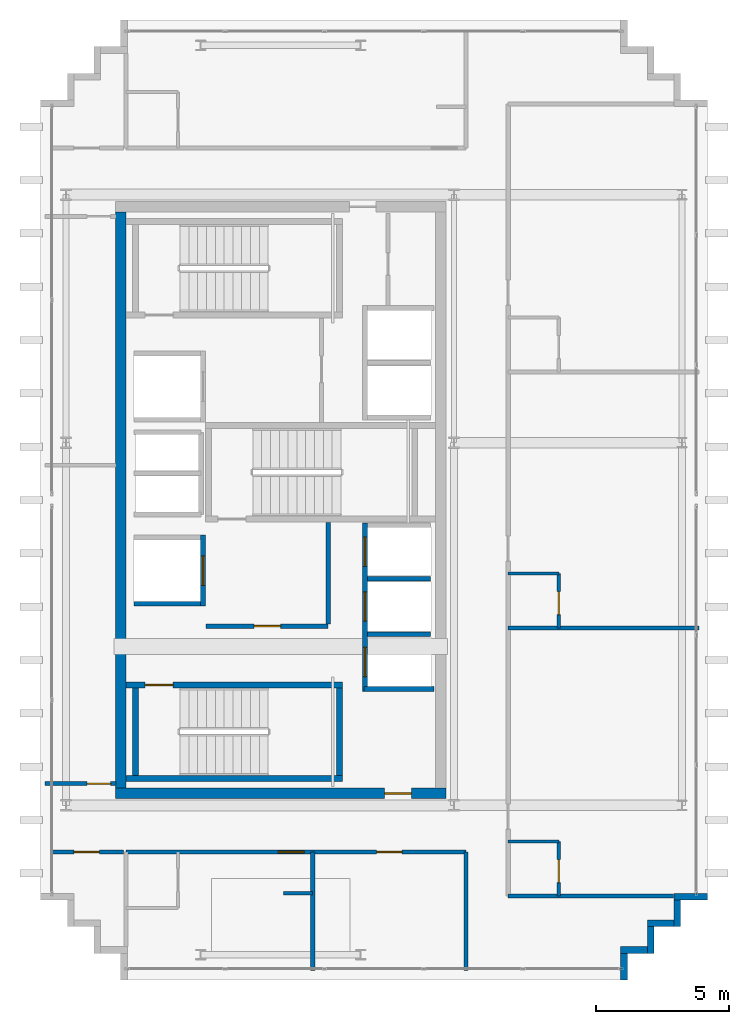
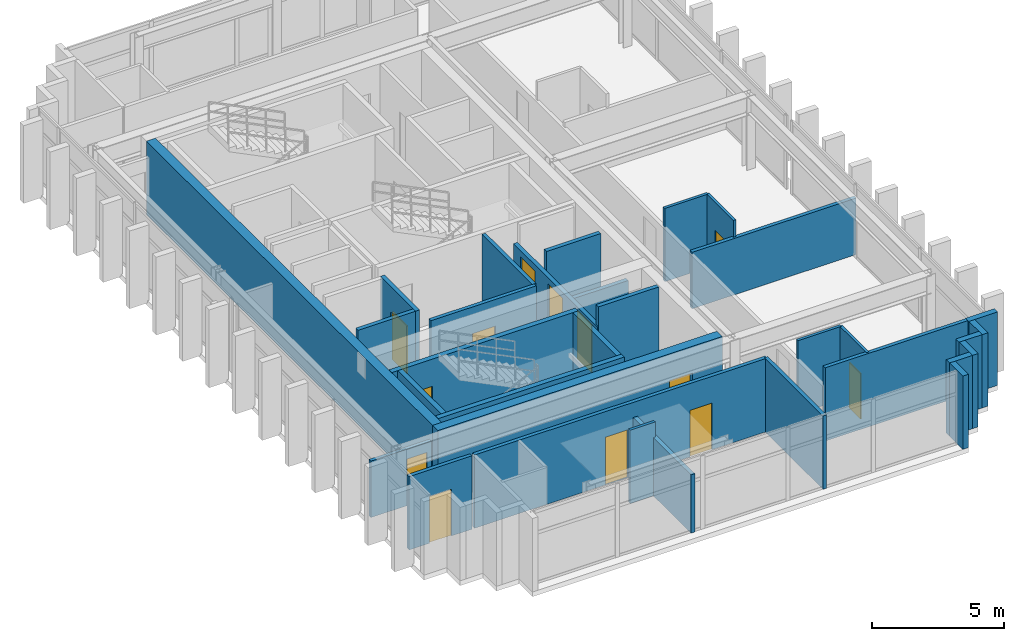
# One storey, part 12 of 15: 32 walls, 13 doors, 13 openings.
"""IFC4 building model written with IfcOpenShell, lengths in metres."""

from ifc_helpers import new_model, si_unit, direction, frame, frame_2d, origin, place, context, subcontext, project, spatial, rectangle, extrude, source, transform, mapped, material, layer, layer_set, type_object, element, fill, save


model = new_model("IFC4")

# Units and contexts
model_context = context("Model", 3, precision=1e-05, world=origin(), true_north=direction((0.0, 1.0)))
body_context = subcontext(model_context, "Body", "Model", "MODEL_VIEW")
ifc_project = project(units=[si_unit("LENGTHUNIT", "METRE"), si_unit("AREAUNIT", "SQUARE_METRE"), si_unit("VOLUMEUNIT", "CUBIC_METRE"), si_unit("PLANEANGLEUNIT", "RADIAN"), si_unit("MASSUNIT", "GRAM", prefix="KILO")], contexts=[model_context])

# Site, building, storey
site_placement = place(None, origin())
site = spatial("IfcSite", under=ifc_project, at=site_placement, CompositionType="ELEMENT")
building_placement = place(site_placement, origin())
building = spatial("IfcBuilding", under=site, at=building_placement, Name="Ocotamira Hotel", CompositionType="ELEMENT")
storey_placement = place(building_placement, frame((0.0, 0.0, 276.0)))
storey = spatial("IfcBuildingStorey", under=building, at=storey_placement, Name="L70", CompositionType="ELEMENT", Elevation=276.0)

# Wall, opening, door
ifc_material_1 = material(Name="Concrete C50/60", Category="concrete")
ifc_layer_1 = layer(ifc_material_1, 0.39990234375)
ifc_layer_set_1 = layer_set([ifc_layer_1], Name="Concrete C50/60")
wall_type_1 = type_object("IfcWallType", Name="WL-CORE-400", PredefinedType="SHEAR", material=ifc_layer_set_1)
wall_1_placement = place(storey_placement, frame((10.800048828125, 15.0, 0.0), z_axis=(0.0, 0.0, 1.0), x_axis=(1.0, 0.0, 0.0)))
wall_1 = element("IfcWall", 1, at=wall_1_placement, inside=storey, type_object=wall_type_1, Name="L70 Shear Core Wall WCORE-S", PredefinedType="SHEAR", context=body_context, shape_type="SweptSolid", body=[
    extrude(rectangle(XDim=12.39990234375, YDim=0.39990234375, at=frame_2d((6.199951171875, 0.0))), origin(), (0.0, 0.0, 1.0), 3.3798828125),
])
opening_1_placement = place(wall_1_placement, frame((10.10009765625, 0.0, 0.0)))
opening_1 = element("IfcOpeningElement", 2, at=opening_1_placement, cuts=wall_1, Name="Opening D-FR2", PredefinedType="OPENING", context=body_context, shape_type="SweptSolid", body=[
    extrude(rectangle(XDim=1.0, YDim=2.14990234375, at=frame_2d((0.5, 1.074951171875))), frame((0.0, 0.2099609375, 0.0), z_axis=(0.0, -1.0, 0.0), x_axis=(1.0, 0.0, 0.0)), (0.0, 0.0, 1.0), 0.419921875),
])
ifc_material_2 = material(Name="Fire-rated acoustic timber-veneer door", Category="wood")
door_type_1 = type_object("IfcDoorType", Name="DR-FIRE-1000", OperationType="NOTDEFINED", PredefinedType="DOOR", material=ifc_material_2)
shared_shape_1 = source(origin(), body_context, "Body", "SweptSolid", [
    extrude(rectangle(XDim=1.0, YDim=2.14990234375, at=frame_2d((0.5, 1.074951171875))), frame((0.0, 0.02490234375, 0.0), z_axis=(0.0, -1.0, 0.0), x_axis=(1.0, 0.0, 0.0)), (0.0, 0.0, 1.0), 0.050048828125),
])
door_1_placement = place(opening_1_placement, origin())
door_1 = element("IfcDoor", 3, at=door_1_placement, inside=storey, type_object=door_type_1, Name="L70 Door ID-L70-WLOB-S-D [ID-L70-WLOB-S-D]", OperationType="SINGLE_SWING_LEFT", OverallHeight=2.14990234375, OverallWidth=1.0, PredefinedType="DOOR", context=body_context, shape_type="MappedRepresentation", body=[
    mapped(shared_shape_1, transform((0.0, 0.0, 0.0), scale=1.0)),
])
fill(opening_1, door_1)

# Walls
wall_2_placement = place(storey_placement, frame((11.0, 15.199951171875, 0.0), z_axis=(0.0, 0.0, 1.0), x_axis=(0.0, 1.0, 0.0)))
element("IfcWall", 4, at=wall_2_placement, inside=storey, type_object=wall_type_1, Name="L70 Shear Core Wall WCORE-W", PredefinedType="SHEAR", context=body_context, shape_type="SweptSolid", body=[
    extrude(rectangle(XDim=21.60009765625, YDim=0.39990234375, at=frame_2d((10.800048828125, 0.0))), origin(), (0.0, 0.0, 1.0), 3.3798828125),
])
ifc_material_3 = material(Name="Precast concrete C45/55", Category="concrete")
ifc_layer_2 = layer(ifc_material_3, 0.25)
ifc_layer_set_2 = layer_set([ifc_layer_2], Name="Precast concrete C45/55")
wall_type_2 = type_object("IfcWallType", Name="WL-EXT-SER-250", PredefinedType="SOLIDWALL", material=ifc_layer_set_2)
for number, where, z_axis, x_axis, name in (
    (5, (29.875, 8.0, 0.0), (0.0, 0.0, 1.0), (0.0, 1.0, 0.0), "L70 Serrated Corner Wall 01"),
    (6, (29.75, 9.125, 0.0), (0.0, 0.0, 1.0), (1.0, 0.0, 0.0), "L70 Serrated Corner Wall 02"),
    (7, (30.875, 9.0, 0.0), (0.0, 0.0, 1.0), (0.0, 1.0, 0.0), "L70 Serrated Corner Wall 03"),
    (8, (30.75, 10.125, 0.0), (0.0, 0.0, 1.0), (1.0, 0.0, 0.0), "L70 Serrated Corner Wall 04"),
    (9, (31.875, 10.0, 0.0), (0.0, 0.0, 1.0), (0.0, 1.0, 0.0), "L70 Serrated Corner Wall 05"),
):
    element("IfcWall", number, at=place(storey_placement, frame(where, z_axis=z_axis, x_axis=x_axis)), inside=storey, type_object=wall_type_2, Name=name, PredefinedType="SOLIDWALL", context=body_context, shape_type="SweptSolid", body=[
        extrude(rectangle(XDim=1.0, YDim=0.25, at=frame_2d((0.5, 0.0))), origin(), (0.0, 0.0, 1.0), 3.3798828125),
    ])
wall_3_placement = place(storey_placement, frame((31.75, 11.125, 0.0), z_axis=(0.0, 0.0, 1.0), x_axis=(1.0, 0.0, 0.0)))
element("IfcWall", 10, at=wall_3_placement, inside=storey, type_object=wall_type_2, Name="L70 Serrated Corner Wall 06", PredefinedType="SOLIDWALL", context=body_context, shape_type="SweptSolid", body=[
    extrude(rectangle(XDim=1.25, YDim=0.25, at=frame_2d((0.625, 0.0))), origin(), (0.0, 0.0, 1.0), 3.3798828125),
])

# Wall, opening, door
ifc_material_4 = material(Name="Acoustic double-layer fire gypsum board partition", Category="gypsum")
ifc_layer_3 = layer(ifc_material_4, 0.159912109375)
ifc_layer_set_3 = layer_set([ifc_layer_3], Name="Acoustic double-layer fire gypsum board partition")
wall_type_3 = type_object("IfcWallType", Name="WL-FIRE-160", PredefinedType="PARTITIONING", material=ifc_layer_set_3)
wall_4_placement = place(storey_placement, frame((14.199951171875, 21.27001953125, 0.0), z_axis=(0.0, 0.0, 1.0), x_axis=(1.0, 0.0, 0.0)))
wall_4 = element("IfcWall", 11, at=wall_4_placement, inside=storey, type_object=wall_type_3, Name="L70 Interior Wall PW-L70-FSAE1-S", PredefinedType="PARTITIONING", context=body_context, shape_type="SweptSolid", body=[
    extrude(rectangle(XDim=4.580078125, YDim=0.159912109375, at=frame_2d((2.2900390625, 0.0))), origin(), (0.0, 0.0, 1.0), 3.3798828125),
])
opening_2_placement = place(wall_4_placement, frame((1.800048828125, 0.0, 0.0)))
opening_2 = element("IfcOpeningElement", 12, at=opening_2_placement, cuts=wall_4, Name="Opening D-FR2", PredefinedType="OPENING", context=body_context, shape_type="SweptSolid", body=[
    extrude(rectangle(XDim=1.0, YDim=2.14990234375, at=frame_2d((0.5, 1.074951171875))), frame((0.0, 0.08984375, 0.0), z_axis=(0.0, -1.0, 0.0), x_axis=(1.0, 0.0, 0.0)), (0.0, 0.0, 1.0), 0.179931640625),
])
door_2_placement = place(opening_2_placement, origin())
door_2 = element("IfcDoor", 13, at=door_2_placement, inside=storey, type_object=door_type_1, Name="L70 Door ID-L70-FSAE1-D [ID-L70-FSAE1-D]", OperationType="SINGLE_SWING_LEFT", OverallHeight=2.14990234375, OverallWidth=1.0, PredefinedType="DOOR", context=body_context, shape_type="MappedRepresentation", body=[
    mapped(shared_shape_1, transform((0.0, 0.0, 0.0), scale=1.0)),
])
fill(opening_2, door_2)

# Wall
wall_5_placement = place(storey_placement, frame((18.780029296875, 21.35009765625, 0.0), z_axis=(0.0, 0.0, 1.0), x_axis=(0.0, 1.0, 0.0)))
element("IfcWall", 14, at=wall_5_placement, inside=storey, type_object=wall_type_3, Name="L70 Interior Wall PW-L70-FSAE1-E", PredefinedType="PARTITIONING", context=body_context, shape_type="SweptSolid", body=[
    extrude(rectangle(XDim=3.809814453125, YDim=0.159912109375, at=frame_2d((1.90478515625, 0.0))), origin(), (0.0, 0.0, 1.0), 3.3798828125),
])

# Wall, openings, doors
wall_6_placement = place(storey_placement, frame((11.199951171875, 12.800048828125, 0.0), z_axis=(0.0, 0.0, 1.0), x_axis=(1.0, 0.0, 0.0)))
wall_6 = element("IfcWall", 15, at=wall_6_placement, inside=storey, type_object=wall_type_3, Name="L70 Interior Wall PW-L70-WP0S-CORRW", PredefinedType="PARTITIONING", context=body_context, shape_type="SweptSolid", body=[
    extrude(rectangle(XDim=12.75, YDim=0.159912109375, at=frame_2d((6.375, 0.0))), origin(), (0.0, 0.0, 1.0), 3.3798828125),
])
opening_3_placement = place(wall_6_placement, frame((5.699951171875, 0.0, 0.0)))
opening_3 = element("IfcOpeningElement", 16, at=opening_3_placement, cuts=wall_6, Name="Opening D-GR2", PredefinedType="OPENING", context=body_context, shape_type="SweptSolid", body=[
    extrude(rectangle(XDim=0.97998046875, YDim=2.199951171875, at=frame_2d((0.489990234375, 1.10009765625))), frame((0.0, 0.08984375, 0.0), z_axis=(0.0, -1.0, 0.0), x_axis=(1.0, 0.0, 0.0)), (0.0, 0.0, 1.0), 0.179931640625),
])
opening_4_placement = place(wall_6_placement, frame((9.39501953125, 0.0, 0.0)))
opening_4 = element("IfcOpeningElement", 17, at=opening_4_placement, cuts=wall_6, Name="Opening D-SV4", PredefinedType="OPENING", context=body_context, shape_type="SweptSolid", body=[
    extrude(rectangle(XDim=0.9599609375, YDim=2.14990234375, at=frame_2d((0.47998046875, 1.074951171875))), frame((0.0, 0.08984375, 0.0), z_axis=(0.0, -1.0, 0.0), x_axis=(1.0, 0.0, 0.0)), (0.0, 0.0, 1.0), 0.179931640625),
])
ifc_material_5 = material(Name="Fire-rated accessible walnut salon door", Category="wood")
door_type_2 = type_object("IfcDoorType", Name="DR-SERV-960", OperationType="NOTDEFINED", PredefinedType="DOOR", material=ifc_material_5)
shared_shape_2 = source(origin(), body_context, "Body", "SweptSolid", [
    extrude(rectangle(XDim=0.9599609375, YDim=2.14990234375, at=frame_2d((0.47998046875, 1.074951171875))), frame((0.0, 0.02490234375, 0.0), z_axis=(0.0, -1.0, 0.0), x_axis=(1.0, 0.0, 0.0)), (0.0, 0.0, 1.0), 0.050048828125),
])
door_3_placement = place(opening_4_placement, origin())
door_3 = element("IfcDoor", 18, at=door_3_placement, inside=storey, type_object=door_type_2, Name="L70 Door ID-L70-WP0S-AMD2 [ID-L70-WP0S-AMD2]", OperationType="SINGLE_SWING_RIGHT", OverallHeight=2.14990234375, OverallWidth=0.9599609375, PredefinedType="DOOR", context=body_context, shape_type="MappedRepresentation", body=[
    mapped(shared_shape_2, transform((0.0, 0.0, 0.0), scale=1.0)),
])
fill(opening_4, door_3)
ifc_material_6 = material(Name="Solid-core walnut grand-suite entrance fire door", Category="wood")
door_type_3 = type_object("IfcDoorType", Name="DR-GUEST-980", OperationType="NOTDEFINED", PredefinedType="DOOR", material=ifc_material_6)
shared_shape_3 = source(origin(), body_context, "Body", "SweptSolid", [
    extrude(rectangle(XDim=0.97998046875, YDim=2.199951171875, at=frame_2d((0.489990234375, 1.10009765625))), frame((0.0, 0.02490234375, 0.0), z_axis=(0.0, -1.0, 0.0), x_axis=(1.0, 0.0, 0.0)), (0.0, 0.0, 1.0), 0.050048828125),
])
door_4_placement = place(opening_3_placement, origin())
door_4 = element("IfcDoor", 19, at=door_4_placement, inside=storey, type_object=door_type_3, Name="L70 Door ID-L70-WP0S-RMD1 [ID-L70-WP0S-RMD1]", OperationType="SINGLE_SWING_LEFT", OverallHeight=2.199951171875, OverallWidth=0.97998046875, PredefinedType="DOOR", context=body_context, shape_type="MappedRepresentation", body=[
    mapped(shared_shape_3, transform((0.0, 0.0, 0.0), scale=1.0)),
])
fill(opening_3, door_4)

# Wall, opening, door
wall_7_placement = place(storey_placement, frame((8.35009765625, 12.800048828125, 0.0), z_axis=(0.0, 0.0, 1.0), x_axis=(1.0, 0.0, 0.0)))
wall_7 = element("IfcWall", 20, at=wall_7_placement, inside=storey, type_object=wall_type_3, Name="L70 Interior Wall PW-L70-WPCSW0-CW", PredefinedType="PARTITIONING", context=body_context, shape_type="SweptSolid", body=[
    extrude(rectangle(XDim=2.75, YDim=0.159912109375, at=frame_2d((1.375, 0.0))), origin(), (0.0, 0.0, 1.0), 3.3798828125),
])
opening_5_placement = place(wall_7_placement, frame((0.89501953125, 0.0, 0.0)))
opening_5 = element("IfcOpeningElement", 21, at=opening_5_placement, cuts=wall_7, Name="Opening D-SV4", PredefinedType="OPENING", context=body_context, shape_type="SweptSolid", body=[
    extrude(rectangle(XDim=0.9599609375, YDim=2.14990234375, at=frame_2d((0.47998046875, 1.074951171875))), frame((0.0, 0.08984375, 0.0), z_axis=(0.0, -1.0, 0.0), x_axis=(1.0, 0.0, 0.0)), (0.0, 0.0, 1.0), 0.179931640625),
])
door_5_placement = place(opening_5_placement, origin())
door_5 = element("IfcDoor", 22, at=door_5_placement, inside=storey, type_object=door_type_2, Name="L70 Door ID-L70-WPCSW0-CD [ID-L70-WPCSW0-CD]", OperationType="SINGLE_SWING_LEFT", OverallHeight=2.14990234375, OverallWidth=0.9599609375, PredefinedType="DOOR", context=body_context, shape_type="MappedRepresentation", body=[
    mapped(shared_shape_2, transform((0.0, 0.0, 0.0), scale=1.0)),
])
fill(opening_5, door_5)

# Wall
ifc_material_7 = material(Name="Moisture-resistant en-suite tile and gypsum partition", Category="gypsum")
ifc_layer_4 = layer(ifc_material_7, 0.1201171875)
ifc_layer_set_4 = layer_set([ifc_layer_4], Name="Moisture-resistant en-suite tile and gypsum partition")
wall_type_4 = type_object("IfcWallType", Name="WL-PART-120", PredefinedType="PARTITIONING", material=ifc_layer_set_4)
wall_8_placement = place(storey_placement, frame((17.10009765625, 11.25, 0.0), z_axis=(0.0, 0.0, 1.0), x_axis=(1.0, 0.0, 0.0)))
element("IfcWall", 23, at=wall_8_placement, inside=storey, type_object=wall_type_4, Name="L70 Interior Wall PW-L70-WP0S-DRN1", PredefinedType="PARTITIONING", context=body_context, shape_type="SweptSolid", body=[
    extrude(rectangle(XDim=1.099853515625, YDim=0.1201171875, at=frame_2d((0.5498046875, 0.0))), origin(), (0.0, 0.0, 1.0), 3.3798828125),
])

# Wall, opening, door
wall_9_placement = place(storey_placement, frame((27.429931640625, 11.14990234375, 0.0), z_axis=(0.0, 0.0, 1.0), x_axis=(0.0, 1.0, 0.0)))
wall_9 = element("IfcWall", 24, at=wall_9_placement, inside=storey, type_object=wall_type_4, Name="L70 Interior Wall PW-L70-WP-EBE1", PredefinedType="PARTITIONING", context=body_context, shape_type="SweptSolid", body=[
    extrude(rectangle(XDim=2.0400390625, YDim=0.1201171875, at=frame_2d((1.02001953125, 0.0))), origin(), (0.0, 0.0, 1.0), 3.3798828125),
])
opening_6_placement = place(wall_9_placement, frame((0.5, 0.0, 0.0)))
opening_6 = element("IfcOpeningElement", 25, at=opening_6_placement, cuts=wall_9, Name="Opening D-BA1", PredefinedType="OPENING", context=body_context, shape_type="SweptSolid", body=[
    extrude(rectangle(XDim=0.860107421875, YDim=2.10009765625, at=frame_2d((0.43017578125, 1.050048828125))), frame((0.0, 0.070068359375, 0.0), z_axis=(0.0, -1.0, 0.0), x_axis=(1.0, 0.0, 0.0)), (0.0, 0.0, 1.0), 0.14013671875),
])
ifc_material_8 = material(Name="Moisture-sealed en-suite timber door", Category="wood")
door_type_4 = type_object("IfcDoorType", Name="DR-BATH-860", OperationType="NOTDEFINED", PredefinedType="DOOR", material=ifc_material_8)
shared_shape_4 = source(origin(), body_context, "Body", "SweptSolid", [
    extrude(rectangle(XDim=0.860107421875, YDim=2.10009765625, at=frame_2d((0.43017578125, 1.050048828125))), frame((0.0, 0.02490234375, 0.0), z_axis=(0.0, -1.0, 0.0), x_axis=(1.0, 0.0, 0.0)), (0.0, 0.0, 1.0), 0.050048828125),
])
door_6_placement = place(opening_6_placement, origin())
door_6 = element("IfcDoor", 26, at=door_6_placement, inside=storey, type_object=door_type_4, Name="L70 Door ID-L70-WP-EBD1 [ID-L70-WP-EBD1]", OperationType="SINGLE_SWING_LEFT", OverallHeight=2.10009765625, OverallWidth=0.860107421875, PredefinedType="DOOR", context=body_context, shape_type="MappedRepresentation", body=[
    mapped(shared_shape_4, transform((0.0, 0.0, 0.0), scale=1.0)),
])
fill(opening_6, door_6)

# Wall
wall_10_placement = place(storey_placement, frame((25.530029296875, 13.18994140625, 0.0), z_axis=(0.0, 0.0, 1.0), x_axis=(1.0, 0.0, 0.0)))
element("IfcWall", 27, at=wall_10_placement, inside=storey, type_object=wall_type_4, Name="L70 Interior Wall PW-L70-WP-EBN1", PredefinedType="PARTITIONING", context=body_context, shape_type="SweptSolid", body=[
    extrude(rectangle(XDim=1.89990234375, YDim=0.1201171875, at=frame_2d((0.949951171875, 0.0))), origin(), (0.0, 0.0, 1.0), 3.3798828125),
])

# Wall, opening, door
wall_11_placement = place(storey_placement, frame((27.429931640625, 21.199951171875, 0.0), z_axis=(0.0, 0.0, 1.0), x_axis=(0.0, 1.0, 0.0)))
wall_11 = element("IfcWall", 28, at=wall_11_placement, inside=storey, type_object=wall_type_4, Name="L70 Interior Wall PW-L70-WP-EBE2", PredefinedType="PARTITIONING", context=body_context, shape_type="SweptSolid", body=[
    extrude(rectangle(XDim=2.0400390625, YDim=0.1201171875, at=frame_2d((1.02001953125, 0.0))), origin(), (0.0, 0.0, 1.0), 3.3798828125),
])
opening_7_placement = place(wall_11_placement, frame((0.5, 0.0, 0.0)))
opening_7 = element("IfcOpeningElement", 29, at=opening_7_placement, cuts=wall_11, Name="Opening D-BA1", PredefinedType="OPENING", context=body_context, shape_type="SweptSolid", body=[
    extrude(rectangle(XDim=0.860107421875, YDim=2.10009765625, at=frame_2d((0.43017578125, 1.050048828125))), frame((0.0, 0.070068359375, 0.0), z_axis=(0.0, -1.0, 0.0), x_axis=(1.0, 0.0, 0.0)), (0.0, 0.0, 1.0), 0.14013671875),
])
door_7_placement = place(opening_7_placement, origin())
door_7 = element("IfcDoor", 30, at=door_7_placement, inside=storey, type_object=door_type_4, Name="L70 Door ID-L70-WP-EBD2 [ID-L70-WP-EBD2]", OperationType="SINGLE_SWING_LEFT", OverallHeight=2.10009765625, OverallWidth=0.860107421875, PredefinedType="DOOR", context=body_context, shape_type="MappedRepresentation", body=[
    mapped(shared_shape_4, transform((0.0, 0.0, 0.0), scale=1.0)),
])
fill(opening_7, door_7)

# Wall
wall_12_placement = place(storey_placement, frame((25.530029296875, 23.239990234375, 0.0), z_axis=(0.0, 0.0, 1.0), x_axis=(1.0, 0.0, 0.0)))
element("IfcWall", 31, at=wall_12_placement, inside=storey, type_object=wall_type_4, Name="L70 Interior Wall PW-L70-WP-EBN2", PredefinedType="PARTITIONING", context=body_context, shape_type="SweptSolid", body=[
    extrude(rectangle(XDim=1.89990234375, YDim=0.1201171875, at=frame_2d((0.949951171875, 0.0))), origin(), (0.0, 0.0, 1.0), 3.3798828125),
])

# Wall, opening, door
ifc_material_9 = material(Name="Acoustic hospitality gypsum board partition", Category="gypsum")
ifc_layer_5 = layer(ifc_material_9, 0.14990234375)
ifc_layer_set_5 = layer_set([ifc_layer_5], Name="Acoustic hospitality gypsum board partition")
wall_type_5 = type_object("IfcWallType", Name="WL-PART-150", PredefinedType="PARTITIONING", material=ifc_layer_set_5)
wall_13_placement = place(storey_placement, frame((8.159912109375, 15.360107421875, 0.0), z_axis=(0.0, 0.0, 1.0), x_axis=(1.0, 0.0, 0.0)))
wall_13 = element("IfcWall", 32, at=wall_13_placement, inside=storey, type_object=wall_type_5, Name="L70 Interior Wall PW-L70-WP0W-WS", PredefinedType="PARTITIONING", context=body_context, shape_type="SweptSolid", body=[
    extrude(rectangle(XDim=2.66015625, YDim=0.14990234375, at=frame_2d((1.330078125, 0.0))), origin(), (0.0, 0.0, 1.0), 2.60107421875),
])
opening_8_placement = place(wall_13_placement, frame((1.580078125, 0.0, 0.0)))
opening_8 = element("IfcOpeningElement", 33, at=opening_8_placement, cuts=wall_13, Name="Opening D-SV2", PredefinedType="OPENING", context=body_context, shape_type="SweptSolid", body=[
    extrude(rectangle(XDim=0.8798828125, YDim=2.14990234375, at=frame_2d((0.43994140625, 1.074951171875))), frame((0.0, 0.0849609375, 0.0), z_axis=(0.0, -1.0, 0.0), x_axis=(1.0, 0.0, 0.0)), (0.0, 0.0, 1.0), 0.169921875),
])
ifc_material_10 = material(Name="Fire-rated painted steel service door", Category="steel")
door_type_5 = type_object("IfcDoorType", Name="DR-SERV-880", OperationType="NOTDEFINED", PredefinedType="DOOR", material=ifc_material_10)
shared_shape_5 = source(origin(), body_context, "Body", "SweptSolid", [
    extrude(rectangle(XDim=0.8798828125, YDim=2.14990234375, at=frame_2d((0.43994140625, 1.074951171875))), frame((0.0, 0.02490234375, 0.0), z_axis=(0.0, -1.0, 0.0), x_axis=(1.0, 0.0, 0.0)), (0.0, 0.0, 1.0), 0.050048828125),
])
door_8_placement = place(opening_8_placement, origin())
door_8 = element("IfcDoor", 34, at=door_8_placement, inside=storey, type_object=door_type_5, Name="L70 Door ID-L70-WP0W-DS [ID-L70-WP0W-DS]", OperationType="SINGLE_SWING_LEFT", OverallHeight=2.14990234375, OverallWidth=0.8798828125, PredefinedType="DOOR", context=body_context, shape_type="MappedRepresentation", body=[
    mapped(shared_shape_5, transform((0.0, 0.0, 0.0), scale=1.0)),
])
fill(opening_8, door_8)

# Walls
ifc_material_11 = material(Name="Acoustic double-stud hospitality gypsum partition", Category="gypsum")
ifc_layer_6 = layer(ifc_material_11, 0.159912109375)
ifc_layer_set_6 = layer_set([ifc_layer_6], Name="Acoustic double-stud hospitality gypsum partition")
wall_type_6 = type_object("IfcWallType", Name="WL-PART-160", PredefinedType="PARTITIONING", material=ifc_layer_set_6)
wall_14_placement = place(storey_placement, frame((23.949951171875, 8.360107421875, 0.0), z_axis=(0.0, 0.0, 1.0), x_axis=(0.0, 1.0, 0.0)))
element("IfcWall", 35, at=wall_14_placement, inside=storey, type_object=wall_type_6, Name="L70 Interior Wall PW-L70-WP0S-PWEND", PredefinedType="PARTITIONING", context=body_context, shape_type="SweptSolid", body=[
    extrude(rectangle(XDim=4.43994140625, YDim=0.159912109375, at=frame_2d((2.219970703125, 0.0))), origin(), (0.0, 0.0, 1.0), 3.3798828125),
])
wall_15_placement = place(storey_placement, frame((25.530029296875, 11.14990234375, 0.0), z_axis=(0.0, 0.0, 1.0), x_axis=(1.0, 0.0, 0.0)))
element("IfcWall", 36, at=wall_15_placement, inside=storey, type_object=wall_type_6, Name="L70 Interior Wall PW-L70-WP-EDIV0", PredefinedType="PARTITIONING", context=body_context, shape_type="SweptSolid", body=[
    extrude(rectangle(XDim=6.2099609375, YDim=0.159912109375, at=frame_2d((3.10498046875, 0.0))), origin(), (0.0, 0.0, 1.0), 3.3798828125),
])
wall_16_placement = place(storey_placement, frame((25.530029296875, 21.199951171875, 0.0), z_axis=(0.0, 0.0, 1.0), x_axis=(1.0, 0.0, 0.0)))
element("IfcWall", 37, at=wall_16_placement, inside=storey, type_object=wall_type_6, Name="L70 Interior Wall PW-L70-WP-EDIV1", PredefinedType="PARTITIONING", context=body_context, shape_type="SweptSolid", body=[
    extrude(rectangle(XDim=7.14990234375, YDim=0.159912109375, at=frame_2d((3.574951171875, 0.0))), origin(), (0.0, 0.0, 1.0), 2.60107421875),
])
ifc_material_12 = material(Name="Double-stud suite party gypsum partition", Category="gypsum")
ifc_layer_7 = layer(ifc_material_12, 0.175048828125)
ifc_layer_set_7 = layer_set([ifc_layer_7], Name="Double-stud suite party gypsum partition")
wall_type_7 = type_object("IfcWallType", Name="WL-PART-175", PredefinedType="PARTITIONING", material=ifc_layer_set_7)
wall_17_placement = place(storey_placement, frame((18.199951171875, 8.360107421875, 0.0), z_axis=(0.0, 0.0, 1.0), x_axis=(0.0, 1.0, 0.0)))
element("IfcWall", 38, at=wall_17_placement, inside=storey, type_object=wall_type_7, Name="L70 Interior Wall PW-L70-WP0S-PW1", PredefinedType="PARTITIONING", context=body_context, shape_type="SweptSolid", body=[
    extrude(rectangle(XDim=4.43994140625, YDim=0.175048828125, at=frame_2d((2.219970703125, 0.0))), origin(), (0.0, 0.0, 1.0), 2.68701171875),
])

# Wall, openings, doors
ifc_material_13 = material(Name="Fire-rated gypsum shaftliner board assembly", Category="gypsum")
ifc_layer_8 = layer(ifc_material_13, 0.179931640625)
ifc_layer_set_8 = layer_set([ifc_layer_8], Name="Fire-rated gypsum shaftliner board assembly")
wall_type_8 = type_object("IfcWallType", Name="WL-SHAFT-180", PredefinedType="SOLIDWALL", material=ifc_layer_set_8)
wall_18_placement = place(storey_placement, frame((20.159912109375, 18.820068359375, 0.0), z_axis=(0.0, 0.0, 1.0), x_axis=(0.0, 1.0, 0.0)))
wall_18 = element("IfcWall", 39, at=wall_18_placement, inside=storey, type_object=wall_type_8, Name="L70 Interior Wall PW-L70-LFW-BANK-high-F", PredefinedType="SOLIDWALL", context=body_context, shape_type="SweptSolid", body=[
    extrude(rectangle(XDim=6.31982421875, YDim=0.179931640625, at=frame_2d((3.159912109375, 0.0))), origin(), (0.0, 0.0, 1.0), 2.47998046875),
])
opening_9_placement = place(wall_18_placement, frame((0.554931640625, 0.0, 0.0)))
opening_9 = element("IfcOpeningElement", 40, at=opening_9_placement, cuts=wall_18, Name="Opening LD-LF-P7", PredefinedType="OPENING", context=body_context, shape_type="SweptSolid", body=[
    extrude(rectangle(XDim=1.10009765625, YDim=2.199951171875, at=frame_2d((0.550048828125, 1.10009765625))), frame((0.0, 0.10009765625, 0.0), z_axis=(0.0, -1.0, 0.0), x_axis=(1.0, 0.0, 0.0)), (0.0, 0.0, 1.0), 0.199951171875),
])
opening_10_placement = place(wall_18_placement, frame((2.635009765625, 0.0, 0.0)))
opening_10 = element("IfcOpeningElement", 41, at=opening_10_placement, cuts=wall_18, Name="Opening LD-LF-P8", PredefinedType="OPENING", context=body_context, shape_type="SweptSolid", body=[
    extrude(rectangle(XDim=1.10009765625, YDim=2.199951171875, at=frame_2d((0.550048828125, 1.10009765625))), frame((0.0, 0.10009765625, 0.0), z_axis=(0.0, -1.0, 0.0), x_axis=(1.0, 0.0, 0.0)), (0.0, 0.0, 1.0), 0.199951171875),
])
opening_11_placement = place(wall_18_placement, frame((4.68994140625, 0.0, 0.0)))
opening_11 = element("IfcOpeningElement", 42, at=opening_11_placement, cuts=wall_18, Name="Opening LD-LF-P9", PredefinedType="OPENING", context=body_context, shape_type="SweptSolid", body=[
    extrude(rectangle(XDim=1.10009765625, YDim=2.199951171875, at=frame_2d((0.550048828125, 1.10009765625))), frame((0.0, 0.10009765625, 0.0), z_axis=(0.0, -1.0, 0.0), x_axis=(1.0, 0.0, 0.0)), (0.0, 0.0, 1.0), 0.199951171875),
])
ifc_material_14 = material(Name="Brushed pale-metal stainless elevator landing door", Category="steel")
door_type_6 = type_object("IfcDoorType", Name="DR-LIFT-1100", OperationType="NOTDEFINED", PredefinedType="DOOR", material=ifc_material_14)
shared_shape_6 = source(origin(), body_context, "Body", "SweptSolid", [
    extrude(rectangle(XDim=1.10009765625, YDim=2.199951171875, at=frame_2d((0.550048828125, 1.10009765625))), frame((0.0, 0.02490234375, 0.0), z_axis=(0.0, -1.0, 0.0), x_axis=(1.0, 0.0, 0.0)), (0.0, 0.0, 1.0), 0.050048828125),
])
door_9_placement = place(opening_9_placement, origin())
door_9 = element("IfcDoor", 43, at=door_9_placement, inside=storey, type_object=door_type_6, Name="L70 Landing Door LD-LF-P7 [ID-L70-LD-LF-P7]", OperationType="DOUBLE_DOOR_SLIDING", OverallHeight=2.199951171875, OverallWidth=1.10009765625, PredefinedType="DOOR", context=body_context, shape_type="MappedRepresentation", body=[
    mapped(shared_shape_6, transform((0.0, 0.0, 0.0), scale=1.0)),
])
fill(opening_9, door_9)
door_10_placement = place(opening_10_placement, origin())
door_10 = element("IfcDoor", 44, at=door_10_placement, inside=storey, type_object=door_type_6, Name="L70 Landing Door LD-LF-P8 [ID-L70-LD-LF-P8]", OperationType="DOUBLE_DOOR_SLIDING", OverallHeight=2.199951171875, OverallWidth=1.10009765625, PredefinedType="DOOR", context=body_context, shape_type="MappedRepresentation", body=[
    mapped(shared_shape_6, transform((0.0, 0.0, 0.0), scale=1.0)),
])
fill(opening_10, door_10)
door_11_placement = place(opening_11_placement, origin())
door_11 = element("IfcDoor", 45, at=door_11_placement, inside=storey, type_object=door_type_6, Name="L70 Landing Door LD-LF-P9 [ID-L70-LD-LF-P9]", OperationType="DOUBLE_DOOR_SLIDING", OverallHeight=2.199951171875, OverallWidth=1.10009765625, PredefinedType="DOOR", context=body_context, shape_type="MappedRepresentation", body=[
    mapped(shared_shape_6, transform((0.0, 0.0, 0.0), scale=1.0)),
])
fill(opening_11, door_11)

# Walls
wall_19_placement = place(storey_placement, frame((20.1201171875, 18.909912109375, 0.0), z_axis=(0.0, 0.0, 1.0), x_axis=(1.0, 0.0, 0.0)))
element("IfcWall", 46, at=wall_19_placement, inside=storey, type_object=wall_type_8, Name="L70 Interior Wall PW-L70-LFW-BANK-high-S", PredefinedType="SOLIDWALL", context=body_context, shape_type="SweptSolid", body=[
    extrude(rectangle(XDim=2.6298828125, YDim=0.179931640625, at=frame_2d((1.31494140625, 0.0))), origin(), (0.0, 0.0, 1.0), 3.3798828125),
])
wall_20_placement = place(storey_placement, frame((20.25, 20.965087890625, 0.0), z_axis=(0.0, 0.0, 1.0), x_axis=(1.0, 0.0, 0.0)))
element("IfcWall", 47, at=wall_20_placement, inside=storey, type_object=wall_type_8, Name="L70 Interior Wall PW-L70-LFW-DIV-LF-P7", PredefinedType="SOLIDWALL", context=body_context, shape_type="SweptSolid", body=[
    extrude(rectangle(XDim=2.360107421875, YDim=0.179931640625, at=frame_2d((1.18017578125, 0.0))), origin(), (0.0, 0.0, 1.0), 2.47998046875),
])
wall_21_placement = place(storey_placement, frame((20.25, 23.044921875, 0.0), z_axis=(0.0, 0.0, 1.0), x_axis=(1.0, 0.0, 0.0)))
element("IfcWall", 48, at=wall_21_placement, inside=storey, type_object=wall_type_8, Name="L70 Interior Wall PW-L70-LFW-DIV-LF-P8", PredefinedType="SOLIDWALL", context=body_context, shape_type="SweptSolid", body=[
    extrude(rectangle(XDim=2.360107421875, YDim=0.179931640625, at=frame_2d((1.18017578125, 0.0))), origin(), (0.0, 0.0, 1.0), 3.3798828125),
])
wall_22_placement = place(storey_placement, frame((11.5, 22.110107421875, 0.0), z_axis=(0.0, 0.0, 1.0), x_axis=(1.0, 0.0, 0.0)))
element("IfcWall", 49, at=wall_22_placement, inside=storey, type_object=wall_type_8, Name="L70 Interior Wall PW-L70-LFW-LF-FSAE1-S", PredefinedType="SOLIDWALL", context=body_context, shape_type="SweptSolid", body=[
    extrude(rectangle(XDim=2.5, YDim=0.179931640625, at=frame_2d((1.25, 0.0))), origin(), (0.0, 0.0, 1.0), 3.3798828125),
])

# Wall, opening, door
wall_23_placement = place(storey_placement, frame((14.090087890625, 22.02001953125, 0.0), z_axis=(0.0, 0.0, 1.0), x_axis=(0.0, 1.0, 0.0)))
wall_23 = element("IfcWall", 50, at=wall_23_placement, inside=storey, type_object=wall_type_8, Name="L70 Interior Wall PW-L70-LFW-LF-FSAE1-E", PredefinedType="SOLIDWALL", context=body_context, shape_type="SweptSolid", body=[
    extrude(rectangle(XDim=2.659912109375, YDim=0.179931640625, at=frame_2d((1.330078125, 0.0))), origin(), (0.0, 0.0, 1.0), 3.3798828125),
])
opening_12_placement = place(wall_23_placement, frame((0.780029296875, 0.0, 0.0)))
opening_12 = element("IfcOpeningElement", 51, at=opening_12_placement, cuts=wall_23, Name="Opening LD-LF-FSAE1", PredefinedType="OPENING", context=body_context, shape_type="SweptSolid", body=[
    extrude(rectangle(XDim=1.10009765625, YDim=2.199951171875, at=frame_2d((0.550048828125, 1.10009765625))), frame((0.0, 0.10009765625, 0.0), z_axis=(0.0, -1.0, 0.0), x_axis=(1.0, 0.0, 0.0)), (0.0, 0.0, 1.0), 0.199951171875),
])
door_12_placement = place(opening_12_placement, origin())
door_12 = element("IfcDoor", 52, at=door_12_placement, inside=storey, type_object=door_type_6, Name="L70 Landing Door LD-LF-FSAE1 [ID-L70-LD-LF-FSAE1]", OperationType="DOUBLE_DOOR_SLIDING", OverallHeight=2.199951171875, OverallWidth=1.10009765625, PredefinedType="DOOR", context=body_context, shape_type="MappedRepresentation", body=[
    mapped(shared_shape_6, transform((0.0, 0.0, 0.0), scale=1.0)),
])
fill(opening_12, door_12)

# Wall
ifc_layer_9 = layer(ifc_material_1, 0.219970703125)
ifc_layer_set_9 = layer_set([ifc_layer_9], Name="Concrete C50/60")
wall_type_9 = type_object("IfcWallType", Name="WL-STAIR-220", PredefinedType="SHEAR", material=ifc_layer_set_9)
wall_24_placement = place(storey_placement, frame((11.199951171875, 15.56005859375, 0.0), z_axis=(0.0, 0.0, 1.0), x_axis=(1.0, 0.0, 0.0)))
element("IfcWall", 53, at=wall_24_placement, inside=storey, type_object=wall_type_9, Name="L70 Stair Shaft Structural Wall ST-1-S", PredefinedType="SHEAR", context=body_context, shape_type="SweptSolid", body=[
    extrude(rectangle(XDim=8.110107421875, YDim=0.219970703125, at=frame_2d((4.05517578125, 0.0))), origin(), (0.0, 0.0, 1.0), 3.39990234375),
])

# Wall, opening, door
wall_25_placement = place(storey_placement, frame((11.199951171875, 19.06005859375, 0.0), z_axis=(0.0, 0.0, 1.0), x_axis=(1.0, 0.0, 0.0)))
wall_25 = element("IfcWall", 54, at=wall_25_placement, inside=storey, type_object=wall_type_9, Name="L70 Stair Shaft Structural Wall ST-1-N", PredefinedType="SHEAR", context=body_context, shape_type="SweptSolid", body=[
    extrude(rectangle(XDim=8.110107421875, YDim=0.219970703125, at=frame_2d((4.05517578125, 0.0))), origin(), (0.0, 0.0, 1.0), 3.39990234375),
])
opening_13_placement = place(wall_25_placement, frame((0.719970703125, 0.0, 0.0)))
opening_13 = element("IfcOpeningElement", 55, at=opening_13_placement, cuts=wall_25, Name="Opening D-ST2", PredefinedType="OPENING", context=body_context, shape_type="SweptSolid", body=[
    extrude(rectangle(XDim=1.050048828125, YDim=2.14990234375, at=frame_2d((0.52490234375, 1.074951171875))), frame((0.0, 0.1201171875, 0.0), z_axis=(0.0, -1.0, 0.0), x_axis=(1.0, 0.0, 0.0)), (0.0, 0.0, 1.0), 0.239990234375),
])
ifc_material_15 = material(Name="Insulated painted hollow-metal fire exit door", Category="steel")
door_type_7 = type_object("IfcDoorType", Name="DR-STAIR-1050", OperationType="NOTDEFINED", PredefinedType="DOOR", material=ifc_material_15)
shared_shape_7 = source(origin(), body_context, "Body", "SweptSolid", [
    extrude(rectangle(XDim=1.050048828125, YDim=2.14990234375, at=frame_2d((0.52490234375, 1.074951171875))), frame((0.0, 0.02490234375, 0.0), z_axis=(0.0, -1.0, 0.0), x_axis=(1.0, 0.0, 0.0)), (0.0, 0.0, 1.0), 0.050048828125),
])
door_13_placement = place(opening_13_placement, origin())
door_13 = element("IfcDoor", 56, at=door_13_placement, inside=storey, type_object=door_type_7, Name="L70 Door ID-L70-STD-ST-1 [ID-L70-STD-ST-1]", OperationType="SINGLE_SWING_LEFT", OverallHeight=2.14990234375, OverallWidth=1.050048828125, PredefinedType="DOOR", context=body_context, shape_type="MappedRepresentation", body=[
    mapped(shared_shape_7, transform((0.0, 0.0, 0.0), scale=1.0)),
])
fill(opening_13, door_13)

# Walls
for number, where, z_axis, x_axis, name in (
    (57, (11.56005859375, 15.669921875, 0.0), (0.0, 0.0, 1.0), (0.0, 1.0, 0.0), "L70 Stair Shaft Structural Wall ST-1-W"),
    (58, (19.199951171875, 15.669921875, 0.0), (0.0, 0.0, 1.0), (0.0, 1.0, 0.0), "L70 Stair Shaft Structural Wall ST-1-E"),
):
    element("IfcWall", number, at=place(storey_placement, frame(where, z_axis=z_axis, x_axis=x_axis)), inside=storey, type_object=wall_type_9, Name=name, PredefinedType="SHEAR", context=body_context, shape_type="SweptSolid", body=[
        extrude(rectangle(XDim=3.280029296875, YDim=0.219970703125, at=frame_2d((1.64013671875, 0.0))), origin(), (0.0, 0.0, 1.0), 3.39990234375),
    ])

save(model, "model.ifc")
